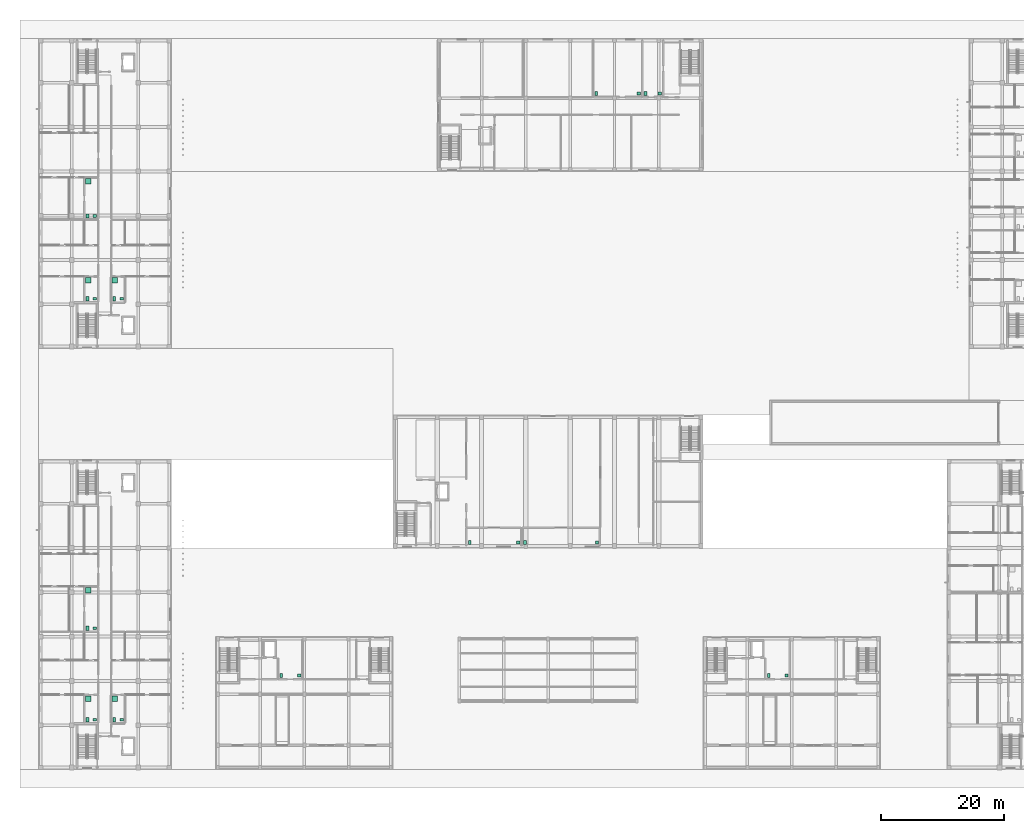
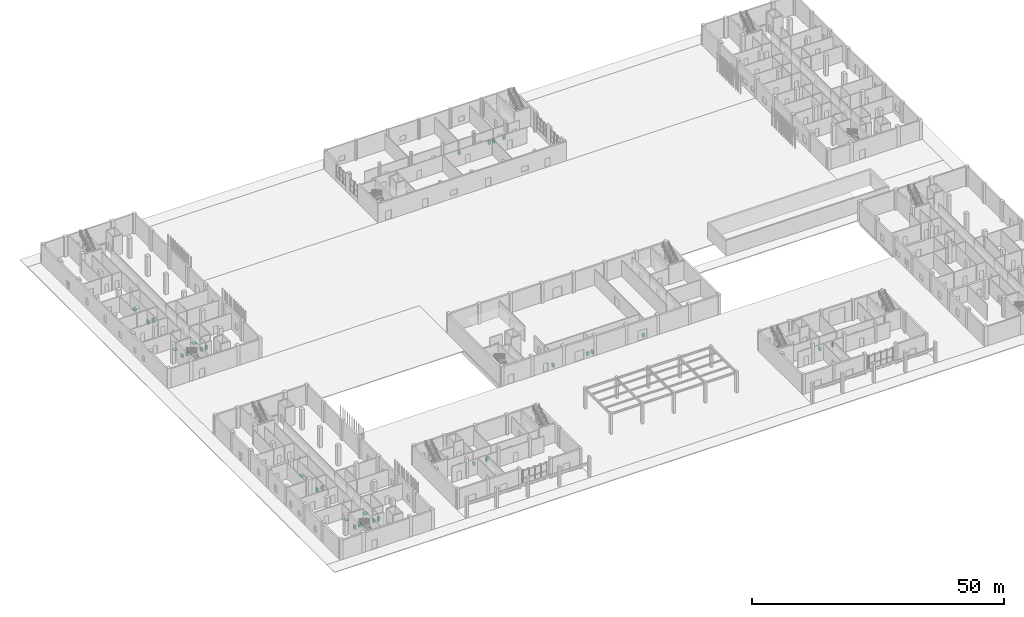
# One storey, part 84 of 85: 30 sanitary terminals.
"""IFC4 building model written with IfcOpenShell, lengths in metres."""

import ifcopenshell
import ifcopenshell.guid

model = None  # the IFC model being written
_history = None  # IfcOwnerHistory: only IFC2X3 demands one
_inside = {}  # id of a spatial element -> (the spatial element, [elements in it])
_under = {}  # id of a project, library or spatial element -> (it, [spatial elements below it])
_declared = {}  # id of a project -> (the project, [libraries it declares])
_typed = {}  # id of a type object -> (the type object, [elements of that type])
_made_of = {}  # id of a material, layer set ... -> (it, [elements and type objects made of it])


def new_model(schema):
    """Start an empty IFC model of exactly this schema.

    Asked for "IFC4X3", IfcOpenShell would pick the latest addendum, in which some entities
    have other attributes; the version numbers below select the first issue.
    IFC2X3 requires an IfcOwnerHistory on every rooted entity: one is made here for all.
    """
    global model, _history
    if schema == "IFC4X3":
        model = ifcopenshell.file(schema_version=(4, 3, 0, 0))
    else:
        model = ifcopenshell.file(schema=schema)
    _inside.clear()
    _under.clear()
    _declared.clear()
    _typed.clear()
    _made_of.clear()
    _history = None
    if model.schema == "IFC2X3":
        org = make("IfcOrganization", Name="unknown")
        user = make(
            "IfcPersonAndOrganization",
            ThePerson=make("IfcPerson", FamilyName="unknown"),
            TheOrganization=org,
        )
        app = make(
            "IfcApplication",
            ApplicationDeveloper=org,
            Version="unknown",
            ApplicationFullName="unknown",
            ApplicationIdentifier="unknown",
        )
        _history = make(
            "IfcOwnerHistory",
            OwningUser=user,
            OwningApplication=app,
            ChangeAction="ADDED",
            CreationDate=0,
        )
    return model


def make(cls, **values):
    """One entity of the class cls with the attributes given. An attribute that is None is left unset."""
    return model.create_entity(
        cls, **{name: value for name, value in values.items() if value is not None}
    )


def rooted(cls, **values):
    """An entity with a GlobalId (a new one), such as an element, a storey or a relation."""
    return make(cls, GlobalId=ifcopenshell.guid.new(), OwnerHistory=_history, **values)


def si_unit(unit_type, name, prefix=None):
    """IfcSIUnit, for example si_unit("LENGTHUNIT", "METRE", prefix="MILLI")."""
    return make("IfcSIUnit", UnitType=unit_type, Prefix=prefix, Name=name)


def derived_unit(unit_type, elements):
    """IfcDerivedUnit: a product of units, each with its exponent."""
    return make(
        "IfcDerivedUnit",
        Elements=[
            make("IfcDerivedUnitElement", Unit=unit, Exponent=power)
            for unit, power in elements
        ],
        UnitType=unit_type,
    )


def assignment(units):
    """IfcUnitAssignment: the units of a project."""
    return None if units is None else make("IfcUnitAssignment", Units=units)


def point(xyz):
    """IfcCartesianPoint."""
    return None if xyz is None else make("IfcCartesianPoint", Coordinates=xyz)


def direction(xyz):
    """IfcDirection."""
    return None if xyz is None else make("IfcDirection", DirectionRatios=xyz)


def frame(location, z_axis=None, x_axis=None):
    """IfcAxis2Placement3D, a coordinate frame: its origin and axes. An axis left out is left unset."""
    return make(
        "IfcAxis2Placement3D",
        Location=point(location),
        Axis=direction(z_axis),
        RefDirection=direction(x_axis),
    )


def frame_2d(location, x_axis=None):
    """IfcAxis2Placement2D, a coordinate frame in the plane: its origin and x axis."""
    return make(
        "IfcAxis2Placement2D", Location=point(location), RefDirection=direction(x_axis)
    )


def origin():
    """The frame at (0, 0, 0) with its axes left unset."""
    return frame((0.0, 0.0, 0.0))


def origin_2d():
    """The frame at (0, 0) in the plane with its x axis left unset."""
    return frame_2d((0.0, 0.0))


def place(relative_to, where):
    """IfcLocalPlacement: puts the frame where relative to a parent placement (None: the world)."""
    return make(
        "IfcLocalPlacement", PlacementRelTo=relative_to, RelativePlacement=where
    )


def context(
    kind, dimensions, precision=None, world=None, true_north=None, identifier=None
):
    """IfcGeometricRepresentationContext, for example the 3D "Model" context."""
    return make(
        "IfcGeometricRepresentationContext",
        ContextIdentifier=identifier,
        ContextType=kind,
        CoordinateSpaceDimension=dimensions,
        Precision=precision,
        WorldCoordinateSystem=world,
        TrueNorth=true_north,
    )


def subcontext(parent, identifier, kind, view, scale=None):
    """IfcGeometricRepresentationSubContext, for example "Body" below "Model"."""
    return make(
        "IfcGeometricRepresentationSubContext",
        ContextIdentifier=identifier,
        ContextType=kind,
        ParentContext=parent,
        TargetScale=scale,
        TargetView=view,
    )


def project(units=None, contexts=None):
    """IfcProject with its units and contexts."""
    return rooted(
        "IfcProject",
        Name="project",
        RepresentationContexts=contexts,
        UnitsInContext=assignment(units),
    )


def spatial(cls, under=None, at=None, **own):
    """A site, building, storey or space (cls), placed at a placement, below another one or the project."""
    s = rooted(cls, ObjectPlacement=at, **own)
    if under is not None:
        _under.setdefault(under.id(), (under, []))[1].append(s)
    return s


def profile(cls, at=None, kind="AREA", **sizes):
    """A parametric profile (cls). Its sizes go by their IFC names, for example OverallWidth=200.0."""
    return make(cls, ProfileType=kind, Position=at, **sizes)


def rectangle(**sizes):
    """IfcRectangleProfileDef."""
    return profile("IfcRectangleProfileDef", **sizes)


def extrude(swept, where, along, depth):
    """IfcExtrudedAreaSolid: the profile swept, set in the frame where, extruded along a direction by depth."""
    return make(
        "IfcExtrudedAreaSolid",
        SweptArea=swept,
        Position=where,
        ExtrudedDirection=direction(along),
        Depth=depth,
    )


def shape(context_of_items, identifier, shape_type, items):
    """IfcShapeRepresentation: the items that make up one representation, for example the "Body"."""
    return make(
        "IfcShapeRepresentation",
        ContextOfItems=context_of_items,
        RepresentationIdentifier=identifier,
        RepresentationType=shape_type,
        Items=items,
    )


def material(Name=None, Category=None):
    """IfcMaterial."""
    return make("IfcMaterial", Name=Name, Category=Category)


def made_of(thing, what):
    """Note that an element or type object is made of a material, layer set ...; save() writes the relation."""
    if what is not None:
        _made_of.setdefault(what.id(), (what, []))[1].append(thing)
    return thing


def type_object(cls, material=None, **own):
    """A type object (cls), such as IfcWallType, which elements share."""
    return made_of(rooted(cls, **own), material)


def element(
    cls,
    number,
    at=None,
    inside=None,
    cuts=None,
    type_object=None,
    material=None,
    context=None,
    identifier="Body",
    shape_type=None,
    held_by="IfcProductDefinitionShape",
    body=None,
    shapes=None,
    **own,
):
    """One element of the class cls, such as IfcWall. Its Tag is "e" and its number.

    at: its placement. inside: the storey or other place that contains it. cuts: it is an
    opening in that element (IfcRelVoidsElement). A single representation is given by context,
    identifier, shape_type and body (its items); several are given by shapes. held_by: the class
    of the entity that holds the representations. save() writes the other relations.
    """
    e = rooted(cls, Tag="e%d" % number, ObjectPlacement=at, **own)
    if body is not None:
        shapes = [shape(context, identifier, shape_type, body)]
    if shapes is not None:
        e.Representation = make(held_by, Representations=shapes)
    if inside is not None:
        _inside.setdefault(inside.id(), (inside, []))[1].append(e)
    if cuts is not None:
        rooted(
            "IfcRelVoidsElement", RelatingBuildingElement=cuts, RelatedOpeningElement=e
        )
    if type_object is not None:
        _typed.setdefault(type_object.id(), (type_object, []))[1].append(e)
    return made_of(e, material)


def aggregate(whole, parts):
    """IfcRelAggregates: a whole, such as a stair, and the parts it consists of."""
    return rooted("IfcRelAggregates", RelatingObject=whole, RelatedObjects=parts)


def save(model, path):
    """Write the relations noted so far, then the file.

    IfcRelAggregates (storeys below a building ...), IfcRelContainedInSpatialStructure (elements
    in a storey), IfcRelDefinesByType, IfcRelAssociatesMaterial and IfcRelDeclares: one each for
    every whole, place, type object, material and project.
    """
    for whole, parts in _under.values():
        aggregate(whole, parts)
    for where, things in _inside.values():
        rooted(
            "IfcRelContainedInSpatialStructure",
            RelatedElements=things,
            RelatingStructure=where,
        )
    for kind, things in _typed.values():
        rooted("IfcRelDefinesByType", RelatedObjects=things, RelatingType=kind)
    for what, things in _made_of.values():
        rooted("IfcRelAssociatesMaterial", RelatedObjects=things, RelatingMaterial=what)
    for by, libraries in _declared.values():
        rooted("IfcRelDeclares", RelatingContext=by, RelatedDefinitions=libraries)
    model.write(path)


model = new_model("IFC4")

# Units and contexts
model_context = context("Model", 3, precision=1e-05, world=origin(), true_north=direction((0.0, 1.0)))
body_context = subcontext(model_context, "Body", "Model", "MODEL_VIEW")
ifc_project = project(units=[si_unit("LENGTHUNIT", "METRE"), si_unit("AREAUNIT", "SQUARE_METRE"), si_unit("VOLUMEUNIT", "CUBIC_METRE"), si_unit("PLANEANGLEUNIT", "RADIAN"), si_unit("MASSUNIT", "GRAM", prefix="KILO"), derived_unit("THERMALTRANSMITTANCEUNIT", [(si_unit("MASSUNIT", "GRAM", prefix="KILO"), 1), (si_unit("TIMEUNIT", "SECOND"), -3), (si_unit("THERMODYNAMICTEMPERATUREUNIT", "KELVIN"), -1)])], contexts=[model_context])

# Site, building, storey
site_placement = place(None, origin())
site = spatial("IfcSite", under=ifc_project, at=site_placement, CompositionType="ELEMENT")
building_placement = place(site_placement, origin())
building = spatial("IfcBuilding", under=site, at=building_placement, Name="Ochrekiln Boulevard Commons", CompositionType="ELEMENT")
storey_placement = place(building_placement, origin())
storey = spatial("IfcBuildingStorey", under=building, at=storey_placement, Name="L00", CompositionType="ELEMENT", Elevation=0.0)

# Sanitary terminals
ifc_material = material(Name="Vitreous china sanitaryware")
sanitary_terminal_type_1 = type_object("IfcSanitaryTerminalType", Name="SAN-BAS", PredefinedType="WASHHANDBASIN", material=ifc_material)
for number, where, z_axis, x_axis, name in (
    (1, (9.169921875, 76.5, 0.0), (0.0, 0.0, 1.0), (1.0, 0.0, 0.0), "L00 Washhand Basin Fixture"),
    (2, (9.169921875, 89.966064453125, 0.0), (0.0, 0.0, 1.0), (1.0, 0.0, 0.0), "L00 Washhand Basin Fixture"),
    (3, (13.530029296875, 76.5, 0.0), (0.0, 0.0, 1.0), (1.0, 0.0, 0.0), "L00 Washhand Basin Fixture"),
    (4, (9.169921875, 8.10009765625, 0.0), (0.0, 0.0, 1.0), (1.0, 0.0, 0.0), "L00 Washhand Basin Fixture"),
    (5, (9.169921875, 22.97412109375, 0.0), (0.0, 0.0, 1.0), (1.0, 0.0, 0.0), "L00 Washhand Basin Fixture"),
    (6, (13.530029296875, 8.10009765625, 0.0), (0.0, 0.0, 1.0), (1.0, 0.0, 0.0), "L00 Washhand Basin Fixture"),
    (7, (77.949951171875, 36.89990234375, 0.0), (0.0, 0.0, 1.0), (1.0, 0.0, 0.0), "L00 Washhand Basin Fixture"),
    (8, (90.75, 36.89990234375, 0.0), (0.0, 0.0, 1.0), (1.0, 0.0, 0.0), "L00 Washhand Basin Fixture"),
    (9, (97.550048828125, 109.85009765625, 0.0), (0.0, 0.0, 1.0), (1.0, 0.0, 0.0), "L00 Washhand Basin Fixture"),
    (10, (100.969970703125, 109.85009765625, 0.0), (0.0, 0.0, 1.0), (1.0, 0.0, 0.0), "L00 Washhand Basin Fixture"),
    (11, (42.35009765625, 15.280029296875, 0.0), (0.0, 0.0, 1.0), (1.0, 0.0, 0.0), "L00 Washhand Basin Fixture"),
    (12, (121.550048828125, 15.280029296875, 0.0), (0.0, 0.0, 1.0), (1.0, 0.0, 0.0), "L00 Washhand Basin Fixture"),
):
    element("IfcSanitaryTerminal", number, at=place(storey_placement, frame(where, z_axis=z_axis, x_axis=x_axis)), inside=storey, type_object=sanitary_terminal_type_1, Name=name, PredefinedType="WASHHANDBASIN", context=body_context, shape_type="SweptSolid", body=[
        extrude(rectangle(XDim=0.550048828125, YDim=0.4599609375, at=origin_2d()), origin(), (0.0, 0.0, 1.0), 0.840087890625),
    ])
sanitary_terminal_type_2 = type_object("IfcSanitaryTerminalType", Name="SAN-SHW", PredefinedType="SHOWER", material=ifc_material)
for number, where, z_axis, x_axis, name in (
    (13, (8.070068359375, 79.489013671875, 0.0), (0.0, 0.0, 1.0), (1.0, 0.0, 0.0), "L00 Shower Receptor"),
    (14, (8.070068359375, 95.573974609375, 0.0), (0.0, 0.0, 1.0), (1.0, 0.0, 0.0), "L00 Shower Receptor"),
    (15, (12.429931640625, 79.489013671875, 0.0), (0.0, 0.0, 1.0), (1.0, 0.0, 0.0), "L00 Shower Receptor"),
    (16, (8.070068359375, 11.52490234375, 0.0), (0.0, 0.0, 1.0), (1.0, 0.0, 0.0), "L00 Shower Receptor"),
    (17, (8.070068359375, 29.1201171875, 0.0), (0.0, 0.0, 1.0), (1.0, 0.0, 0.0), "L00 Shower Receptor"),
    (18, (12.429931640625, 11.52490234375, 0.0), (0.0, 0.0, 1.0), (1.0, 0.0, 0.0), "L00 Shower Receptor"),
):
    element("IfcSanitaryTerminal", number, at=place(storey_placement, frame(where, z_axis=z_axis, x_axis=x_axis)), inside=storey, type_object=sanitary_terminal_type_2, Name=name, PredefinedType="SHOWER", context=body_context, shape_type="SweptSolid", body=[
        extrude(rectangle(XDim=0.89990234375, YDim=0.89990234375, at=origin_2d()), origin(), (0.0, 0.0, 1.0), 0.1201171875),
    ])
sanitary_terminal_type_3 = type_object("IfcSanitaryTerminalType", Name="SAN-WC", PredefinedType="TOILETPAN", material=ifc_material)
for number, where, z_axis, x_axis, name in (
    (19, (7.969970703125, 76.5, 0.0), (0.0, 0.0, 1.0), (1.0, 0.0, 0.0), "L00 Water Closet Fixture"),
    (20, (7.969970703125, 89.966064453125, 0.0), (0.0, 0.0, 1.0), (1.0, 0.0, 0.0), "L00 Water Closet Fixture"),
    (21, (12.330078125, 76.5, 0.0), (0.0, 0.0, 1.0), (1.0, 0.0, 0.0), "L00 Water Closet Fixture"),
    (22, (7.969970703125, 8.10009765625, 0.0), (0.0, 0.0, 1.0), (1.0, 0.0, 0.0), "L00 Water Closet Fixture"),
    (23, (7.969970703125, 22.97412109375, 0.0), (0.0, 0.0, 1.0), (1.0, 0.0, 0.0), "L00 Water Closet Fixture"),
    (24, (12.330078125, 8.10009765625, 0.0), (0.0, 0.0, 1.0), (1.0, 0.0, 0.0), "L00 Water Closet Fixture"),
    (25, (70.050048828125, 36.89990234375, 0.0), (0.0, 0.0, 1.0), (1.0, 0.0, 0.0), "L00 Water Closet Fixture"),
    (26, (79.050048828125, 36.89990234375, 0.0), (0.0, 0.0, 1.0), (1.0, 0.0, 0.0), "L00 Water Closet Fixture"),
    (27, (90.64990234375, 109.85009765625, 0.0), (0.0, 0.0, 1.0), (1.0, 0.0, 0.0), "L00 Water Closet Fixture"),
    (28, (98.6298828125, 109.85009765625, 0.0), (0.0, 0.0, 1.0), (1.0, 0.0, 0.0), "L00 Water Closet Fixture"),
    (29, (39.449951171875, 15.280029296875, 0.0), (0.0, 0.0, 1.0), (1.0, 0.0, 0.0), "L00 Water Closet Fixture"),
    (30, (118.64990234375, 15.280029296875, 0.0), (0.0, 0.0, 1.0), (1.0, 0.0, 0.0), "L00 Water Closet Fixture"),
):
    element("IfcSanitaryTerminal", number, at=place(storey_placement, frame(where, z_axis=z_axis, x_axis=x_axis)), inside=storey, type_object=sanitary_terminal_type_3, Name=name, PredefinedType="TOILETPAN", context=body_context, shape_type="SweptSolid", body=[
        extrude(rectangle(XDim=0.419921875, YDim=0.679931640625, at=origin_2d()), origin(), (0.0, 0.0, 1.0), 0.780029296875),
    ])

save(model, "model.ifc")
